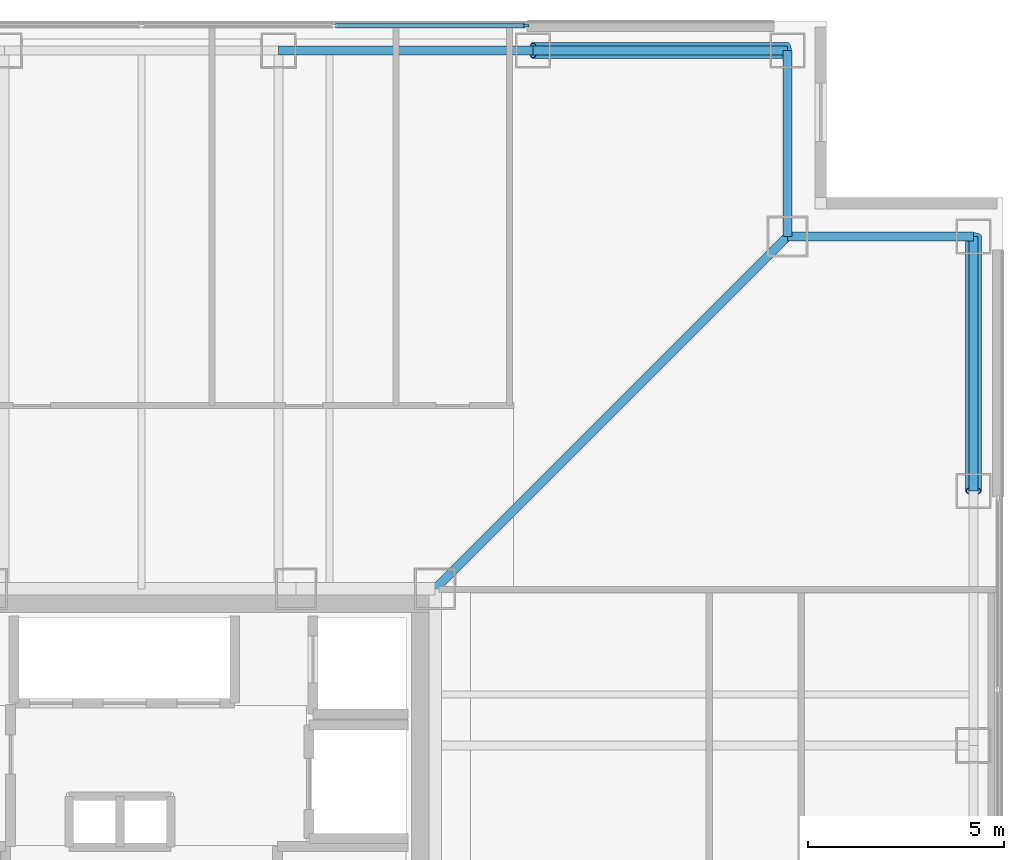
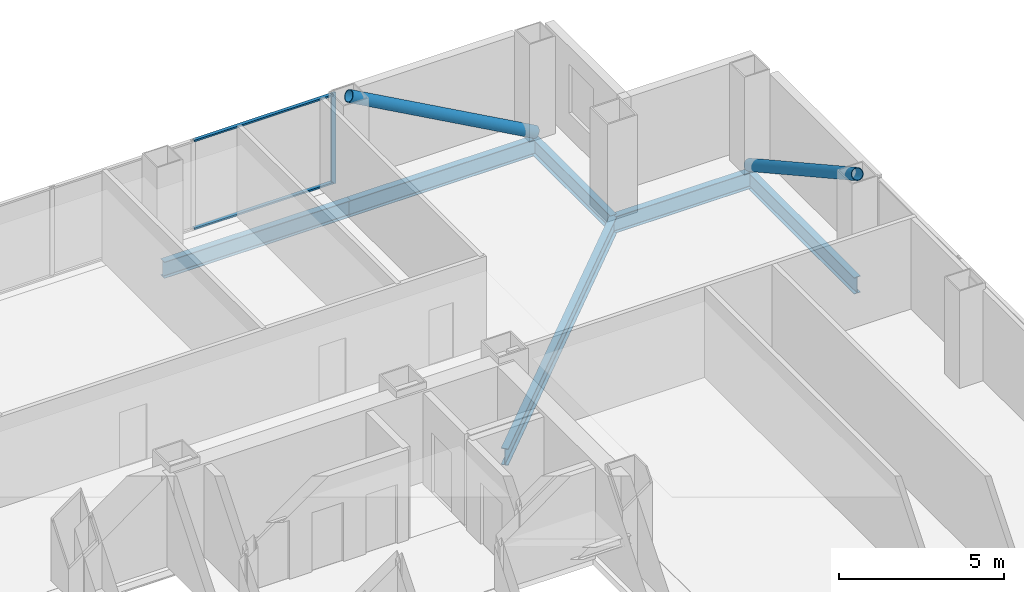
# One storey, part 7 of 13: 6 beams, 5 members, 1 element without a shape of its own.
"""IFC4 building model written with IfcOpenShell, lengths in metres."""

from ifc_helpers import new_model, si_unit, direction, frame, origin, origin_2d, place, context, subcontext, project, spatial, rectangle, hollow_circle, i_section, extrude, material, layer, layer_set, material_profile, profile_set, type_object, element, aggregate, save


model = new_model("IFC4")

# Units and contexts
model_context = context("Model", 3, precision=1e-05, world=origin(), true_north=direction((0.0, 1.0)))
body_context = subcontext(model_context, "Body", "Model", "MODEL_VIEW")
ifc_project = project(units=[si_unit("LENGTHUNIT", "METRE"), si_unit("AREAUNIT", "SQUARE_METRE"), si_unit("VOLUMEUNIT", "CUBIC_METRE"), si_unit("PLANEANGLEUNIT", "RADIAN"), si_unit("MASSUNIT", "GRAM", prefix="KILO")], contexts=[model_context])

# Site, building, storey
site_placement = place(None, origin())
site = spatial("IfcSite", under=ifc_project, at=site_placement, CompositionType="ELEMENT")
building_placement = place(site_placement, origin())
building = spatial("IfcBuilding", under=site, at=building_placement, Name="Trevonay Congress Spire", CompositionType="ELEMENT")
storey_placement = place(building_placement, frame((0.0, 0.0, 112.0)))
storey = spatial("IfcBuildingStorey", under=building, at=storey_placement, Name="L28", CompositionType="ELEMENT", Elevation=112.0)

# Beams
ifc_material_1 = material(Name="Steel ASTM A572 Grade 50", Category="steel")
ifc_material_profile_1 = material_profile(ifc_material_1, i_section(OverallWidth=0.22998046875, OverallDepth=0.616943359375, WebThickness=0.01318359375, FlangeThickness=0.022216796875, FilletRadius=0.01611328125, at=origin_2d()), Name="W610x140")
ifc_profile_set_1 = profile_set([ifc_material_profile_1], Name="Steel ASTM A572 Grade 50")
beam_type_1 = type_object("IfcBeamType", Name="BM-GIRD-W610X140", PredefinedType="BEAM", material=ifc_profile_set_1)
beam_placement = place(storey_placement, frame((7.5, 7.5, -0.548583984375), z_axis=(0.707106781187, 0.707106781187, 0.0), x_axis=(-0.707106781187, 0.707106781187, 0.0)))
element("IfcBeam", 1, at=beam_placement, inside=storey, type_object=beam_type_1, Name="L28 structural beam BM-L28-CDNE", PredefinedType="BEAM", context=body_context, shape_type="SweptSolid", body=[
    extrude(i_section(OverallWidth=0.22998046875, OverallDepth=0.616943359375, WebThickness=0.01318359375, FlangeThickness=0.022216796875, FilletRadius=0.01611328125, at=origin_2d()), origin(), (0.0, 0.0, 1.0), 12.72802734375),
])
ifc_material_profile_2 = material_profile(ifc_material_1, i_section(OverallWidth=0.22802734375, OverallDepth=0.60791015625, WebThickness=0.01123046875, FlangeThickness=0.017333984375, FilletRadius=0.01611328125, at=origin_2d()), Name="W610x113")
ifc_profile_set_2 = profile_set([ifc_material_profile_2], Name="Steel ASTM A572 Grade 50")
beam_type_2 = type_object("IfcBeamType", Name="BM-RING-W610X113", PredefinedType="BEAM", material=ifc_profile_set_2)
for number, where, z_axis, x_axis, name in (
    (2, (3.5, 21.25, -0.5439453125), (1.0, 0.0, 0.0), (0.0, 1.0, 0.0), "L28 structural beam BM-L28-PN4"),
    (3, (10.0, 21.25, -0.5439453125), (1.0, 0.0, 0.0), (0.0, 1.0, 0.0), "L28 structural beam BM-L28-PN5"),
    (4, (21.25, 10.0, -0.5439453125), (0.0, 1.0, 0.0), (-1.0, 0.0, 0.0), "L28 structural beam BM-L28-PE5"),
):
    element("IfcBeam", number, at=place(storey_placement, frame(where, z_axis=z_axis, x_axis=x_axis)), inside=storey, type_object=beam_type_2, Name=name, PredefinedType="BEAM", context=body_context, shape_type="SweptSolid", body=[
        extrude(i_section(OverallWidth=0.22802734375, OverallDepth=0.60791015625, WebThickness=0.01123046875, FlangeThickness=0.017333984375, FilletRadius=0.01611328125, at=origin_2d()), origin(), (0.0, 0.0, 1.0), 6.5),
    ])
for number, where, z_axis, x_axis, name in (
    (5, (16.5, 21.25, -0.5439453125), (0.0, -1.0, 0.0), (1.0, 0.0, 0.0), "L28 structural beam BM-L28-N1NE"),
    (6, (21.25, 16.5, -0.5439453125), (-1.0, 0.0, 0.0), (0.0, -1.0, 0.0), "L28 structural beam BM-L28-N2NE"),
):
    element("IfcBeam", number, at=place(storey_placement, frame(where, z_axis=z_axis, x_axis=x_axis)), inside=storey, type_object=beam_type_2, Name=name, PredefinedType="BEAM", context=body_context, shape_type="SweptSolid", body=[
        extrude(i_section(OverallWidth=0.22802734375, OverallDepth=0.60791015625, WebThickness=0.01123046875, FlangeThickness=0.017333984375, FilletRadius=0.01611328125, at=origin_2d()), origin(), (0.0, 0.0, 1.0), 4.75),
    ])

# Curtain wall, members
ifc_material_2 = material(Name="Pale Anodised Aluminium EN AW-6063-T6", Category="aluminium")
ifc_layer = layer(ifc_material_2, 0.175048828125, Name="Pale Anodised Aluminium EN AW-6063-T6")
ifc_layer_set = layer_set([ifc_layer], Name="Pale Anodised Aluminium EN AW-6063-T6")
curtain_wall_type = type_object("IfcCurtainWallType", Name="CW-SYS03-CONGRESS-PALE-METAL", PredefinedType="NOTDEFINED", material=ifc_layer_set)
curtain_wall_placement = place(storey_placement, origin())
curtain_wall = element("IfcCurtainWall", 7, at=curtain_wall_placement, inside=storey, type_object=curtain_wall_type, Name="L28 N unitised curtain wall", PredefinedType="NOTDEFINED")
ifc_material_profile_3 = material_profile(ifc_material_2, rectangle(XDim=0.06005859375, YDim=0.159912109375, at=origin_2d()), Name="CW-MULLION-160-ALUMINIUM")
ifc_profile_set_3 = profile_set([ifc_material_profile_3], Name="Pale Anodised Aluminium EN AW-6063-T6")
member_type_1 = type_object("IfcMemberType", Name="CW-MULLION-160-ALUMINIUM", PredefinedType="MULLION", material=ifc_profile_set_3)
member_1_placement = place(storey_placement, frame((9.820068359375, 21.8798828125, 0.0), z_axis=(0.0, 0.0, 1.0), x_axis=(0.0, 1.0, 0.0)))
member_1 = element("IfcMember", 8, at=member_1_placement, type_object=member_type_1, Name="CW03 mullion 5", PredefinedType="MULLION", context=body_context, shape_type="SweptSolid", body=[
    extrude(rectangle(XDim=0.06005859375, YDim=0.159912109375, at=origin_2d()), origin(), (0.0, 0.0, 1.0), 3.360107421875),
])
ifc_material_profile_4 = material_profile(ifc_material_2, rectangle(XDim=0.1201171875, YDim=0.06005859375, at=origin_2d()), Name="CW-TRANSOM-120-ALUMINIUM")
ifc_profile_set_4 = profile_set([ifc_material_profile_4], Name="Pale Anodised Aluminium EN AW-6063-T6")
member_type_2 = type_object("IfcMemberType", Name="CW-TRANSOM-120-ALUMINIUM", PredefinedType="USERDEFINED", material=ifc_profile_set_4)
member_2_placement = place(storey_placement, frame((4.955078125, 21.8798828125, 0.06005859375), z_axis=(1.0, 0.0, 0.0), x_axis=(0.0, 1.0, 0.0)))
member_2 = element("IfcMember", 9, at=member_2_placement, type_object=member_type_2, Name="CW03 transom 4.1", ObjectType="TRANSOM", PredefinedType="USERDEFINED", context=body_context, shape_type="SweptSolid", body=[
    extrude(rectangle(XDim=0.1201171875, YDim=0.06005859375, at=origin_2d()), origin(), (0.0, 0.0, 1.0), 4.8349609375),
])
member_3_placement = place(storey_placement, frame((4.955078125, 21.8798828125, 3.300048828125), z_axis=(1.0, 0.0, 0.0), x_axis=(0.0, 1.0, 0.0)))
member_3 = element("IfcMember", 10, at=member_3_placement, type_object=member_type_2, Name="CW03 transom 4.2", ObjectType="TRANSOM", PredefinedType="USERDEFINED", context=body_context, shape_type="SweptSolid", body=[
    extrude(rectangle(XDim=0.1201171875, YDim=0.06005859375, at=origin_2d()), origin(), (0.0, 0.0, 1.0), 4.8349609375),
])
aggregate(curtain_wall, [member_1, member_2, member_3])

# Members
ifc_material_3 = material(Name="Steel ASTM A500 Grade C", Category="steel")
ifc_material_profile_5 = material_profile(ifc_material_3, hollow_circle(Radius=0.203125, WallThickness=0.02001953125, at=origin_2d()), Name="CHS 406.4x20")
ifc_profile_set_5 = profile_set([ifc_material_profile_5], Name="Steel ASTM A500 Grade C")
member_type_3 = type_object("IfcMemberType", Name="MBR-TUBE-CHS406", PredefinedType="BRACE", material=ifc_profile_set_5)
for number, where, z_axis, x_axis, name in (
    (11, (16.5, 21.25, -0.050048828125), (-0.874785785626, 0.0, 0.484509885623), (0.0, -1.0, 0.0), "L28 perimeter braced-tube diagonal N4"),
    (12, (21.25, 16.5, -0.050048828125), (0.0, -0.874785785626, 0.484509885623), (1.0, 0.0, 0.0), "L28 perimeter braced-tube diagonal E4"),
):
    element("IfcMember", number, at=place(storey_placement, frame(where, z_axis=z_axis, x_axis=x_axis)), inside=storey, type_object=member_type_3, Name=name, PredefinedType="BRACE", context=body_context, shape_type="SweptSolid", body=[
        extrude(hollow_circle(Radius=0.203125, WallThickness=0.02001953125, at=origin_2d()), origin(), (0.0, 0.0, 1.0), 7.430419921875),
    ])

save(model, "model.ifc")
